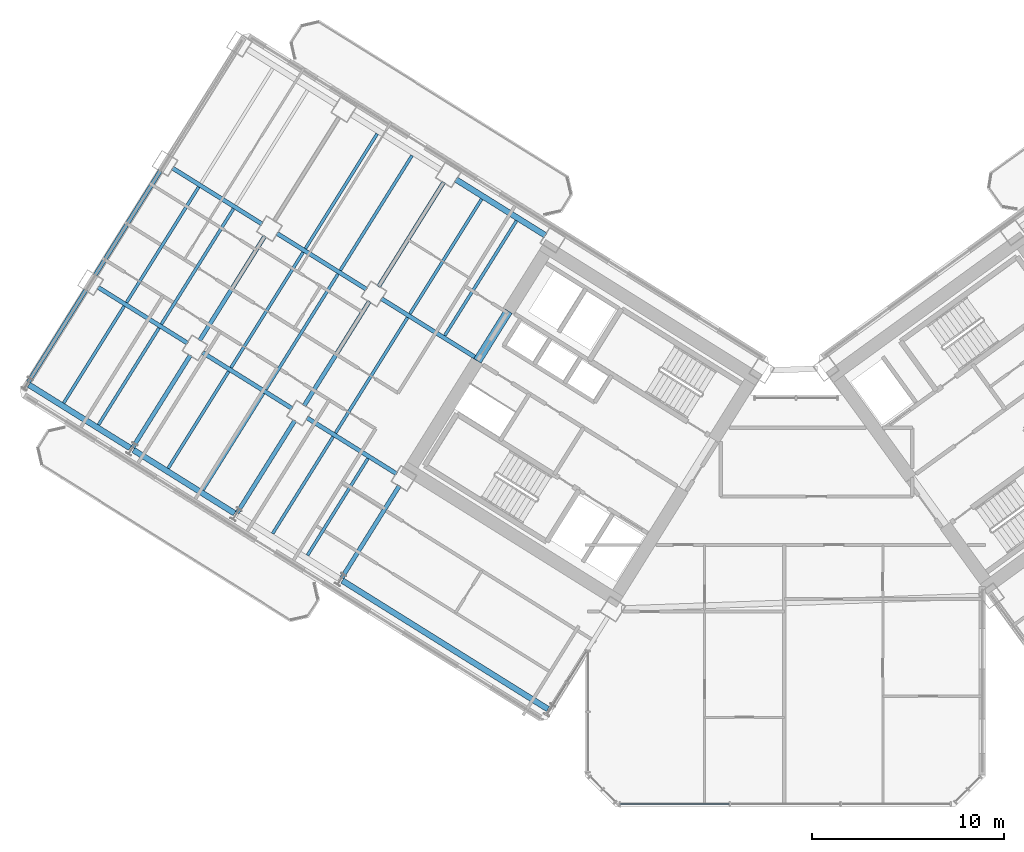
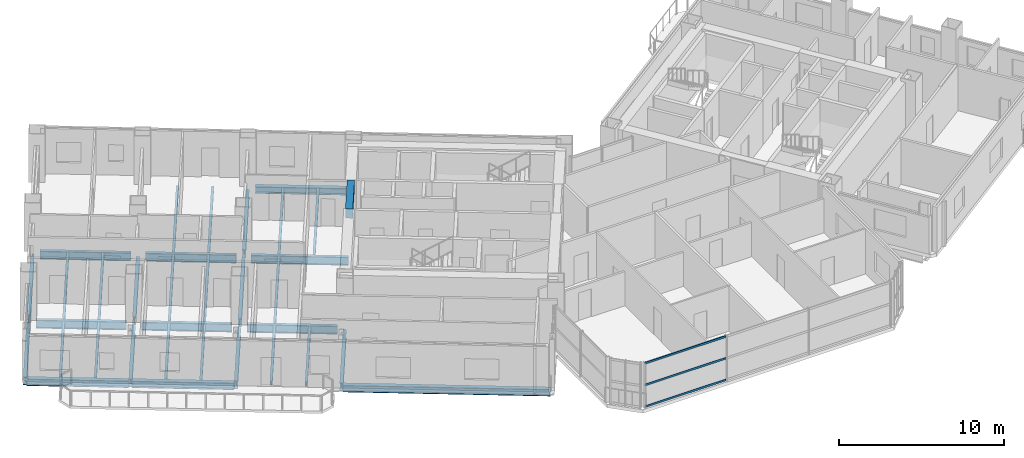
# One storey, part 6 of 28: 34 beams, 3 members, 1 element without a shape of its own.
"""IFC4 building model written with IfcOpenShell, lengths in metres."""

from ifc_helpers import new_model, si_unit, direction, frame, origin, origin_2d, place, context, subcontext, project, spatial, rectangle, hollow_rectangle, i_section, extrude, source, transform, mapped, material, material_profile, profile_set, type_object, element, aggregate, save


model = new_model("IFC4")

# Units and contexts
model_context = context("Model", 3, precision=1e-05, world=origin(), true_north=direction((0.0, 1.0)))
body_context = subcontext(model_context, "Body", "Model", "MODEL_VIEW")
ifc_project = project(units=[si_unit("LENGTHUNIT", "METRE"), si_unit("AREAUNIT", "SQUARE_METRE"), si_unit("VOLUMEUNIT", "CUBIC_METRE"), si_unit("PLANEANGLEUNIT", "RADIAN"), si_unit("MASSUNIT", "GRAM", prefix="KILO")], contexts=[model_context])

# Site, building, storey
site_placement = place(None, origin())
site = spatial("IfcSite", under=ifc_project, at=site_placement, CompositionType="ELEMENT")
building_placement = place(site_placement, origin())
building = spatial("IfcBuilding", under=site, at=building_placement, Name="Tlacorven Tower", CompositionType="ELEMENT")
storey_placement = place(building_placement, frame((0.0, 0.0, 56.39990234375)))
storey = spatial("IfcBuildingStorey", under=building, at=storey_placement, Name="L14", CompositionType="ELEMENT", Elevation=56.39990234375)

# Beams
ifc_material_1 = material(Name="Concrete C60/75", Category="concrete")
ifc_material_profile_1 = material_profile(ifc_material_1, rectangle(XDim=0.449951171875, YDim=0.699951171875, at=origin_2d()), Name="RC 450X700")
ifc_profile_set_1 = profile_set([ifc_material_profile_1], Name="Concrete C60/75")
beam_type_1 = type_object("IfcBeamType", Name="BM-LNT-700", PredefinedType="LINTEL", material=ifc_profile_set_1)
shared_shape_1 = source(origin(), body_context, "Body", "SweptSolid", [
    extrude(rectangle(XDim=0.449951171875, YDim=0.699951171875, at=origin_2d()), origin(), (0.0, 0.0, 1.0), 3.0498046875),
])
beam_1_placement = place(storey_placement, frame((27.622802734375, 27.562255859375, 3.0), z_axis=(-0.529926983584, -0.848043272522, 0.0), x_axis=(0.848043272522, -0.529926983584, 0.0)))
element("IfcBeam", 1, at=beam_1_placement, inside=storey, type_object=beam_type_1, Name="L14 W core coupling lintel beam E2", PredefinedType="LINTEL", context=body_context, shape_type="MappedRepresentation", body=[
    mapped(shared_shape_1, transform((0.0, 0.0, 0.0), scale=1.0)),
])
ifc_material_2 = material(Name="Steel S355J2", Category="steel")
ifc_material_profile_2 = material_profile(ifc_material_2, i_section(OverallWidth=0.300048828125, OverallDepth=0.489990234375, WebThickness=0.011962890625, FlangeThickness=0.02294921875, at=origin_2d()), Name="HEA 500")
ifc_profile_set_2 = profile_set([ifc_material_profile_2], Name="Steel S355J2")
beam_type_2 = type_object("IfcBeamType", Name="BM-SPN-500", PredefinedType="SPANDREL", material=ifc_profile_set_2)
shared_shape_2 = source(origin(), body_context, "Body", "SweptSolid", [
    extrude(i_section(OverallWidth=0.300048828125, OverallDepth=0.489990234375, WebThickness=0.011962890625, FlangeThickness=0.02294921875, at=origin_2d()), origin(), (0.0, 0.0, 1.0), 5.5),
])
beam_2_placement = place(storey_placement, frame((29.54638671875, 31.48974609375, -0.494873046875), z_axis=(-0.848050668838, 0.52991514706, 0.0), x_axis=(-0.52991514706, -0.848050668838, 0.0)))
element("IfcBeam", 2, at=beam_2_placement, inside=storey, type_object=beam_type_2, Name="L14 beam BM-L14-WL1-3", PredefinedType="SPANDREL", context=body_context, shape_type="MappedRepresentation", body=[
    mapped(shared_shape_2, transform((0.0, 0.0, 0.0), scale=1.0)),
])
ifc_material_profile_3 = material_profile(ifc_material_2, i_section(OverallWidth=0.219970703125, OverallDepth=0.60009765625, WebThickness=0.011962890625, FlangeThickness=0.01904296875, at=origin_2d()), Name="IPE 600")
ifc_profile_set_3 = profile_set([ifc_material_profile_3], Name="Steel S355J2")
beam_type_3 = type_object("IfcBeamType", Name="BM-TWR-600", PredefinedType="BEAM", material=ifc_profile_set_3)
shared_shape_3 = source(origin(), body_context, "Body", "SweptSolid", [
    extrude(i_section(OverallWidth=0.219970703125, OverallDepth=0.60009765625, WebThickness=0.011962890625, FlangeThickness=0.01904296875, at=origin_2d()), origin(), (0.0, 0.0, 1.0), 5.909912109375),
])
beam_3_placement = place(storey_placement, frame((26.025634765625, 25.081787109375, -0.5498046875), z_axis=(-0.848047036595, 0.529920959883, 0.0), x_axis=(-0.529920959883, -0.848047036595, 0.0)))
element("IfcBeam", 3, at=beam_3_placement, inside=storey, type_object=beam_type_3, Name="L14 beam BM-L14-WL2-3", PredefinedType="BEAM", context=body_context, shape_type="MappedRepresentation", body=[
    mapped(shared_shape_3, transform((0.0, 0.0, 0.0), scale=1.0)),
])
shared_shape_4 = source(origin(), body_context, "Body", "SweptSolid", [
    extrude(i_section(OverallWidth=0.219970703125, OverallDepth=0.60009765625, WebThickness=0.011962890625, FlangeThickness=0.01904296875, at=origin_2d()), origin(), (0.0, 0.0, 1.0), 5.5),
])
for number, where, z_axis, x_axis, name in (
    (4, (20.25048828125, 28.690673828125, -0.5498046875), (-0.848050668838, 0.52991514706, 0.0), (-0.52991514706, -0.848050668838, 0.0), "L14 beam BM-L14-WL2-4"),
    (5, (14.822998046875, 32.08203125, -0.5498046875), (-0.848050668838, 0.52991514706, 0.0), (-0.52991514706, -0.848050668838, 0.0), "L14 beam BM-L14-WL2-5"),
    (6, (21.8095703125, 19.1083984375, -0.5498046875), (-0.848050668838, 0.52991514706, 0.0), (-0.52991514706, -0.848050668838, 0.0), "L14 beam BM-L14-WL3-3"),
    (7, (16.382080078125, 22.499755859375, -0.5498046875), (-0.848050668838, 0.52991514706, 0.0), (-0.52991514706, -0.848050668838, 0.0), "L14 beam BM-L14-WL3-4"),
    (8, (10.95458984375, 25.891357421875, -0.5498046875), (-0.848050668838, 0.52991514706, 0.0), (-0.52991514706, -0.848050668838, 0.0), "L14 beam BM-L14-WL3-5"),
):
    element("IfcBeam", number, at=place(storey_placement, frame(where, z_axis=z_axis, x_axis=x_axis)), inside=storey, type_object=beam_type_3, Name=name, PredefinedType="BEAM", context=body_context, shape_type="MappedRepresentation", body=[
        mapped(shared_shape_4, transform((0.0, 0.0, 0.0), scale=1.0)),
    ])
shared_shape_5 = source(origin(), body_context, "Body", "SweptSolid", [
    extrude(i_section(OverallWidth=0.300048828125, OverallDepth=0.489990234375, WebThickness=0.011962890625, FlangeThickness=0.02294921875, at=origin_2d()), origin(), (0.0, 0.0, 1.0), 12.599853515625),
])
beam_4_placement = place(storey_placement, frame((29.67578125, 6.882080078125, -0.494873046875), z_axis=(-0.848045108756, 0.529924045043, 0.0), x_axis=(-0.529924045043, -0.848045108756, 0.0)))
element("IfcBeam", 9, at=beam_4_placement, inside=storey, type_object=beam_type_2, Name="L14 beam BM-L14-WL4-1", PredefinedType="SPANDREL", context=body_context, shape_type="MappedRepresentation", body=[
    mapped(shared_shape_5, transform((0.0, 0.0, 0.0), scale=1.0)),
])
shared_shape_6 = source(origin(), body_context, "Body", "SweptSolid", [
    extrude(i_section(OverallWidth=0.300048828125, OverallDepth=0.489990234375, WebThickness=0.011962890625, FlangeThickness=0.02294921875, at=origin_2d()), origin(), (0.0, 0.0, 1.0), 6.199951171875),
])
for number, where, z_axis, x_axis, name in (
    (10, (13.393310546875, 17.056396484375, -0.494873046875), (-0.848033697614, 0.529942306022, 0.0), (-0.529942306022, -0.848033697614, 0.0), "L14 beam BM-L14-WL4-4"),
    (11, (7.9658203125, 20.447998046875, -0.494873046875), (-0.848051394107, 0.529913986372, 0.0), (-0.529913986372, -0.848051394107, 0.0), "L14 beam BM-L14-WL4-5"),
):
    element("IfcBeam", number, at=place(storey_placement, frame(where, z_axis=z_axis, x_axis=x_axis)), inside=storey, type_object=beam_type_2, Name=name, PredefinedType="SPANDREL", context=body_context, shape_type="MappedRepresentation", body=[
        mapped(shared_shape_6, transform((0.0, 0.0, 0.0), scale=1.0)),
    ])
shared_shape_7 = source(origin(), body_context, "Body", "SweptSolid", [
    extrude(i_section(OverallWidth=0.219970703125, OverallDepth=0.60009765625, WebThickness=0.011962890625, FlangeThickness=0.01904296875, at=origin_2d()), origin(), (0.0, 0.0, 1.0), 5.650146484375),
])
for number, where, z_axis, x_axis, name in (
    (12, (21.95263671875, 18.48828125, -0.5498046875), (-0.529929025184, -0.848041996759, 0.0), (0.848041996759, -0.529929025184, 0.0), "L14 beam BM-L14-WT3-2"),
    (13, (16.525146484375, 21.879638671875, -0.5498046875), (-0.529929025184, -0.848041996759, 0.0), (0.848041996759, -0.529929025184, 0.0), "L14 beam BM-L14-WT4-3"),
    (14, (11.09765625, 25.271240234375, -0.5498046875), (-0.529929025184, -0.848041996759, 0.0), (0.848041996759, -0.529929025184, 0.0), "L14 beam BM-L14-WT5-3"),
    (15, (5.670166015625, 28.66259765625, -0.5498046875), (-0.529929025184, -0.848041996759, 0.0), (0.848041996759, -0.529929025184, 0.0), "L14 beam BM-L14-WT6-3"),
):
    element("IfcBeam", number, at=place(storey_placement, frame(where, z_axis=z_axis, x_axis=x_axis)), inside=storey, type_object=beam_type_3, Name=name, PredefinedType="BEAM", context=body_context, shape_type="MappedRepresentation", body=[
        mapped(shared_shape_7, transform((0.0, 0.0, 0.0), scale=1.0)),
    ])
shared_shape_8 = source(origin(), body_context, "Body", "SweptSolid", [
    extrude(i_section(OverallWidth=0.219970703125, OverallDepth=0.60009765625, WebThickness=0.011962890625, FlangeThickness=0.01904296875, at=origin_2d()), origin(), (0.0, 0.0, 1.0), 6.39990234375),
])
for number, where, z_axis, x_axis, name in (
    (16, (24.261962890625, 34.26123046875, -0.5498046875), (-0.529906354247, -0.848056163074, 0.0), (0.848056163074, -0.529906354247, 0.0), "L14 beam BM-L14-WT4-1"),
    (17, (20.3935546875, 28.070556640625, -0.5498046875), (-0.529906354247, -0.848056163074, 0.0), (0.848056163074, -0.529906354247, 0.0), "L14 beam BM-L14-WT4-2"),
):
    element("IfcBeam", number, at=place(storey_placement, frame(where, z_axis=z_axis, x_axis=x_axis)), inside=storey, type_object=beam_type_3, Name=name, PredefinedType="BEAM", context=body_context, shape_type="MappedRepresentation", body=[
        mapped(shared_shape_8, transform((0.0, 0.0, 0.0), scale=1.0)),
    ])
shared_shape_9 = source(origin(), body_context, "Body", "SweptSolid", [
    extrude(i_section(OverallWidth=0.219970703125, OverallDepth=0.60009765625, WebThickness=0.011962890625, FlangeThickness=0.01904296875, at=origin_2d()), origin(), (0.0, 0.0, 1.0), 6.400146484375),
])
for number, where, z_axis, x_axis, name in (
    (18, (14.966064453125, 31.4619140625, -0.5498046875), (-0.529933789039, -0.848039019877, 0.0), (0.848039019877, -0.529933789039, 0.0), "L14 beam BM-L14-WT5-2"),
    (19, (9.53857421875, 34.853515625, -0.5498046875), (-0.529933789039, -0.848039019877, 0.0), (0.848039019877, -0.529933789039, 0.0), "L14 beam BM-L14-WT6-2"),
):
    element("IfcBeam", number, at=place(storey_placement, frame(where, z_axis=z_axis, x_axis=x_axis)), inside=storey, type_object=beam_type_3, Name=name, PredefinedType="BEAM", context=body_context, shape_type="MappedRepresentation", body=[
        mapped(shared_shape_9, transform((0.0, 0.0, 0.0), scale=1.0)),
    ])
ifc_material_profile_4 = material_profile(ifc_material_2, i_section(OverallWidth=0.159912109375, OverallDepth=0.330078125, WebThickness=0.007568359375, FlangeThickness=0.011474609375, at=origin_2d()), Name="IPE 330")
ifc_profile_set_4 = profile_set([ifc_material_profile_4], Name="Steel S355J2")
beam_type_4 = type_object("IfcBeamType", Name="BM-JST-330", PredefinedType="JOIST", material=ifc_profile_set_4)
shared_shape_10 = source(origin(), body_context, "Body", "SweptSolid", [
    extrude(i_section(OverallWidth=0.159912109375, OverallDepth=0.330078125, WebThickness=0.007568359375, FlangeThickness=0.011474609375, at=origin_2d()), origin(), (0.0, 0.0, 1.0), 7.030029296875),
])
for number, where, z_axis, x_axis, name in (
    (20, (28.03662109375, 32.25048828125, -0.414794921875), (-0.529911532383, -0.848052927504, 0.0), (0.848052927504, -0.529911532383, 0.0), "L14 beam BM-L14-WJ3-1-1"),
    (21, (26.2275390625, 33.380859375, -0.414794921875), (-0.529927139185, -0.84804317529, 0.0), (0.84804317529, -0.529927139185, 0.0), "L14 beam BM-L14-WJ3-1-2"),
    (22, (22.609130859375, 35.641845703125, -0.414794921875), (-0.529927139185, -0.84804317529, 0.0), (0.84804317529, -0.529927139185, 0.0), "L14 beam BM-L14-WJ4-1-1"),
    (23, (20.800048828125, 36.7724609375, -0.414794921875), (-0.529911532383, -0.848052927504, 0.0), (0.848052927504, -0.529911532383, 0.0), "L14 beam BM-L14-WJ4-1-2"),
):
    element("IfcBeam", number, at=place(storey_placement, frame(where, z_axis=z_axis, x_axis=x_axis)), inside=storey, type_object=beam_type_4, Name=name, PredefinedType="JOIST", context=body_context, shape_type="MappedRepresentation", body=[
        mapped(shared_shape_10, transform((0.0, 0.0, 0.0), scale=1.0)),
    ])
shared_shape_11 = source(origin(), body_context, "Body", "SweptSolid", [
    extrude(i_section(OverallWidth=0.159912109375, OverallDepth=0.330078125, WebThickness=0.007568359375, FlangeThickness=0.011474609375, at=origin_2d()), origin(), (0.0, 0.0, 1.0), 5.93017578125),
])
for number, where, z_axis, x_axis, name in (
    (24, (20.321044921875, 19.90283203125, -0.414794921875), (-0.529899018132, -0.848060746989, 0.0), (0.848060746989, -0.529899018132, 0.0), "L14 beam BM-L14-WJ3-3-1"),
    (25, (18.51171875, 21.033447265625, -0.414794921875), (-0.529899018132, -0.848060746989, 0.0), (0.848060746989, -0.529899018132, 0.0), "L14 beam BM-L14-WJ3-3-2"),
    (26, (9.466064453125, 26.685791015625, -0.414794921875), (-0.529928626913, -0.848042245633, 0.0), (0.848042245633, -0.529928626913, 0.0), "L14 beam BM-L14-WJ5-3-1"),
    (27, (7.65673828125, 27.81640625, -0.414794921875), (-0.529899018132, -0.848060746989, 0.0), (0.848060746989, -0.529899018132, 0.0), "L14 beam BM-L14-WJ5-3-2"),
):
    element("IfcBeam", number, at=place(storey_placement, frame(where, z_axis=z_axis, x_axis=x_axis)), inside=storey, type_object=beam_type_4, Name=name, PredefinedType="JOIST", context=body_context, shape_type="MappedRepresentation", body=[
        mapped(shared_shape_11, transform((0.0, 0.0, 0.0), scale=1.0)),
    ])
shared_shape_12 = source(origin(), body_context, "Body", "SweptSolid", [
    extrude(i_section(OverallWidth=0.159912109375, OverallDepth=0.330078125, WebThickness=0.007568359375, FlangeThickness=0.011474609375, at=origin_2d()), origin(), (0.0, 0.0, 1.0), 7.070068359375),
])
for number, where, z_axis, x_axis, name in (
    (28, (22.380126953125, 27.22412109375, -0.414794921875), (-0.529890296319, -0.84806619663, 0.0), (0.84806619663, -0.529890296319, 0.0), "L14 beam BM-L14-WJ3-2-2"),
    (29, (18.761962890625, 29.485107421875, -0.414794921875), (-0.529915131461, -0.848050678585, 0.0), (0.848050678585, -0.529915131461, 0.0), "L14 beam BM-L14-WJ4-2-1"),
    (30, (13.33447265625, 32.87646484375, -0.414794921875), (-0.529930649952, -0.848040981463, 0.0), (0.848040981463, -0.529930649952, 0.0), "L14 beam BM-L14-WJ5-2-1"),
    (31, (11.525146484375, 34.007080078125, -0.414794921875), (-0.529930649952, -0.848040981463, 0.0), (0.848040981463, -0.529930649952, 0.0), "L14 beam BM-L14-WJ5-2-2"),
):
    element("IfcBeam", number, at=place(storey_placement, frame(where, z_axis=z_axis, x_axis=x_axis)), inside=storey, type_object=beam_type_4, Name=name, PredefinedType="JOIST", context=body_context, shape_type="MappedRepresentation", body=[
        mapped(shared_shape_12, transform((0.0, 0.0, 0.0), scale=1.0)),
    ])
shared_shape_13 = source(origin(), body_context, "Body", "SweptSolid", [
    extrude(i_section(OverallWidth=0.159912109375, OverallDepth=0.330078125, WebThickness=0.007568359375, FlangeThickness=0.011474609375, at=origin_2d()), origin(), (0.0, 0.0, 1.0), 5.929931640625),
])
for number, where, z_axis, x_axis, name in (
    (32, (14.8935546875, 23.294189453125, -0.414794921875), (-0.529917519894, -0.848049186138, 0.0), (0.848049186138, -0.529917519894, 0.0), "L14 beam BM-L14-WJ4-3-1"),
    (33, (13.084228515625, 24.4248046875, -0.414794921875), (-0.529917519894, -0.848049186138, 0.0), (0.848049186138, -0.529917519894, 0.0), "L14 beam BM-L14-WJ4-3-2"),
):
    element("IfcBeam", number, at=place(storey_placement, frame(where, z_axis=z_axis, x_axis=x_axis)), inside=storey, type_object=beam_type_4, Name=name, PredefinedType="JOIST", context=body_context, shape_type="MappedRepresentation", body=[
        mapped(shared_shape_13, transform((0.0, 0.0, 0.0), scale=1.0)),
    ])
shared_shape_14 = source(origin(), body_context, "Body", "SweptSolid", [
    extrude(i_section(OverallWidth=0.159912109375, OverallDepth=0.330078125, WebThickness=0.007568359375, FlangeThickness=0.011474609375, at=origin_2d()), origin(), (0.0, 0.0, 1.0), 7.06982421875),
])
beam_5_placement = place(storey_placement, frame((16.95263671875, 30.615478515625, -0.414794921875), z_axis=(-0.52990581465, -0.84805650024, 0.0), x_axis=(0.84805650024, -0.52990581465, 0.0)))
element("IfcBeam", 34, at=beam_5_placement, inside=storey, type_object=beam_type_4, Name="L14 beam BM-L14-WJ4-2-2", PredefinedType="JOIST", context=body_context, shape_type="MappedRepresentation", body=[
    mapped(shared_shape_14, transform((0.0, 0.0, 0.0), scale=1.0)),
])

# Curtain wall, members
ifc_material_3 = material(Name="Dark solar low-E double glazing in aluminium frame", Category="aluminium")
curtain_wall_type = type_object("IfcCurtainWallType", Name="CW-TWR-LOW", PredefinedType="USERDEFINED", material=ifc_material_3)
curtain_wall_placement = place(storey_placement, origin())
curtain_wall = element("IfcCurtainWall", 35, at=curtain_wall_placement, inside=storey, type_object=curtain_wall_type, Name="L14 CW-TWR-LOW Curtain Wall 76", ObjectType="UNITISED CURTAIN WALL", PredefinedType="USERDEFINED")
ifc_material_4 = material(Name="Aluminium 6063-T6 anodised", Category="aluminium")
ifc_material_profile_5 = material_profile(ifc_material_4, hollow_rectangle(XDim=0.06005859375, YDim=0.139892578125, WallThickness=0.00390625, at=origin_2d()), Name="ALU TRANSOM 60X140")
ifc_profile_set_5 = profile_set([ifc_material_profile_5], Name="Aluminium 6063-T6 anodised")
member_type = type_object("IfcMemberType", Name="CWT-02", PredefinedType="USERDEFINED", material=ifc_profile_set_5)
shared_shape_15 = source(origin(), body_context, "Body", "SweptSolid", [
    extrude(hollow_rectangle(XDim=0.06005859375, YDim=0.139892578125, WallThickness=0.00390625, at=origin_2d()), origin(), (0.0, 0.0, 1.0), 5.6748046875),
])
member_1_placement = place(storey_placement, frame((39.09912109375, 1.9599609375, 0.070068359375), z_axis=(-1.0, 0.0, 0.0), x_axis=(0.0, -1.0, 0.0)))
member_1 = element("IfcMember", 36, at=member_1_placement, type_object=member_type, Name="CW-L14-076 Transom 7", ObjectType="TRANSOM", PredefinedType="USERDEFINED", context=body_context, shape_type="MappedRepresentation", body=[
    mapped(shared_shape_15, transform((0.0, 0.0, 0.0), scale=1.0)),
])
member_2_placement = place(storey_placement, frame((39.09912109375, 1.9599609375, 1.675048828125), z_axis=(-1.0, 0.0, 0.0), x_axis=(0.0, -1.0, 0.0)))
member_2 = element("IfcMember", 37, at=member_2_placement, type_object=member_type, Name="CW-L14-076 Transom 8", ObjectType="TRANSOM", PredefinedType="USERDEFINED", context=body_context, shape_type="MappedRepresentation", body=[
    mapped(shared_shape_15, transform((0.0, 0.0, 0.0), scale=1.0)),
])
member_3_placement = place(storey_placement, frame((39.09912109375, 1.9599609375, 3.280029296875), z_axis=(-1.0, 0.0, 0.0), x_axis=(0.0, -1.0, 0.0)))
member_3 = element("IfcMember", 38, at=member_3_placement, type_object=member_type, Name="CW-L14-076 Transom 9", ObjectType="TRANSOM", PredefinedType="USERDEFINED", context=body_context, shape_type="MappedRepresentation", body=[
    mapped(shared_shape_15, transform((0.0, 0.0, 0.0), scale=1.0)),
])
aggregate(curtain_wall, [member_1, member_2, member_3])

save(model, "model.ifc")
